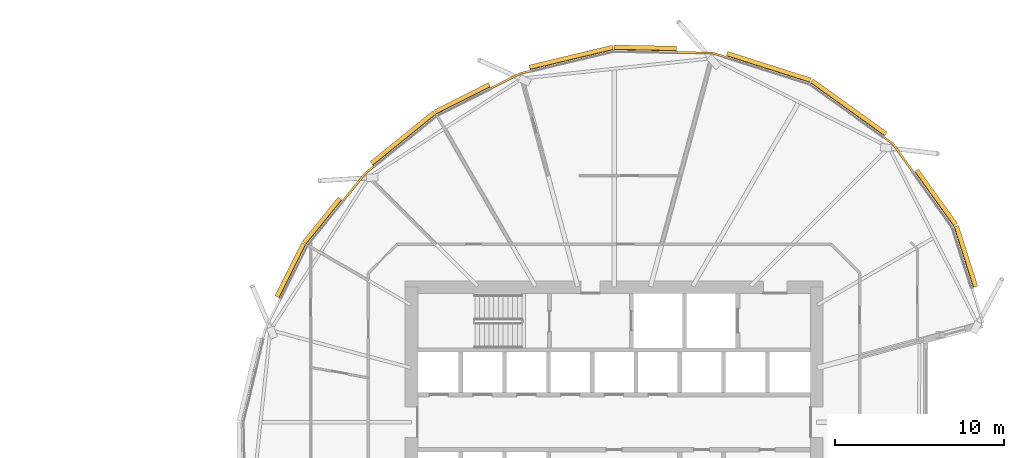
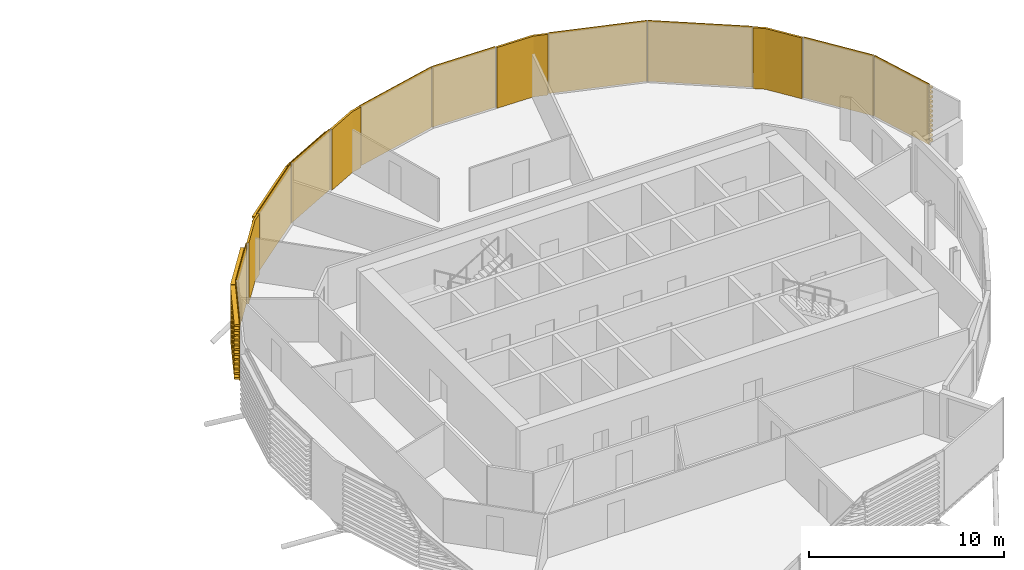
# One storey, part 39 of 39: 14 coverings.
"""IFC4 building model written with IfcOpenShell, lengths in metres."""

from ifc_helpers import new_model, si_unit, direction, frame, origin, place, context, subcontext, project, spatial, polyline, outline, extrude, material, layer, layer_set, material_profile, profile_set, type_object, element, save


model = new_model("IFC4")

# Units and contexts
model_context = context("Model", 3, precision=1e-05, world=origin(), true_north=direction((0.0, 1.0)))
body_context = subcontext(model_context, "Body", "Model", "MODEL_VIEW")
ifc_project = project(units=[si_unit("LENGTHUNIT", "METRE"), si_unit("AREAUNIT", "SQUARE_METRE"), si_unit("VOLUMEUNIT", "CUBIC_METRE"), si_unit("PLANEANGLEUNIT", "RADIAN"), si_unit("MASSUNIT", "GRAM", prefix="KILO")], contexts=[model_context])

# Site, building, storey
site_placement = place(None, origin())
site = spatial("IfcSite", under=ifc_project, at=site_placement, CompositionType="ELEMENT")
building_placement = place(site_placement, origin())
building = spatial("IfcBuilding", under=site, at=building_placement, Name="Rimbun Link Towers", CompositionType="ELEMENT")
storey_placement = place(building_placement, frame((0.0, 0.0, 112.0)))
storey = spatial("IfcBuildingStorey", under=building, at=storey_placement, Name="L27", CompositionType="ELEMENT", Elevation=112.0)

# Coverings
ifc_material_1 = material(Name="Terracotta", Category="masonry")
ifc_layer = layer(ifc_material_1, 0.1201171875)
ifc_layer_set = layer_set([ifc_layer], Name="LINK PIER terracotta cladding 120")
covering_type_1 = type_object("IfcCoveringType", Name="LINK PIER terracotta cladding 120", PredefinedType="CLADDING", material=ifc_layer_set)
covering_1_placement = place(storey_placement, origin())
element("IfcCovering", 1, at=covering_1_placement, inside=storey, type_object=covering_type_1, Name="LINK PIER cladding", PredefinedType="CLADDING", context=body_context, shape_type="SweptSolid", body=[
    extrude(outline(polyline([(47.70947265625, 16.82470703125), (48.21337890625, 16.46337890625), (49.420166015625, 14.781494140625), (49.517578125, 14.8515625), (48.29931640625, 16.54931640625), (47.779541015625, 16.92236328125), (47.70947265625, 16.82470703125)])), origin(), (0.0, 0.0, 1.0), 3.800048828125),
])
covering_2_placement = place(storey_placement, origin())
element("IfcCovering", 2, at=covering_2_placement, inside=storey, type_object=covering_type_1, Name="LINK PIER cladding", PredefinedType="CLADDING", context=body_context, shape_type="SweptSolid", body=[
    extrude(outline(polyline([(35.473388671875, 21.85107421875), (37.593017578125, 21.806396484375), (38.326904296875, 21.5732421875), (38.363037109375, 21.6875), (37.61279296875, 21.926025390625), (35.47607421875, 21.97119140625), (35.473388671875, 21.85107421875)])), origin(), (0.0, 0.0, 1.0), 3.800048828125),
])
covering_3_placement = place(storey_placement, origin())
element("IfcCovering", 3, at=covering_3_placement, inside=storey, type_object=covering_type_1, Name="LINK PIER cladding", PredefinedType="CLADDING", context=body_context, shape_type="SweptSolid", body=[
    extrude(outline(polyline([(24.511962890625, 19.747314453125), (26.227783203125, 20.60888671875), (26.7822265625, 20.741455078125), (26.754150390625, 20.8583984375), (26.186279296875, 20.722412109375), (24.458251953125, 19.8544921875), (24.511962890625, 19.747314453125)])), origin(), (0.0, 0.0, 1.0), 3.800048828125),
])
covering_4_placement = place(storey_placement, origin())
element("IfcCovering", 4, at=covering_4_placement, inside=storey, type_object=covering_type_1, Name="LINK PIER cladding", PredefinedType="CLADDING", context=body_context, shape_type="SweptSolid", body=[
    extrude(outline(polyline([(15.748291015625, 13.09033203125), (17.050537109375, 14.699462890625), (17.532470703125, 15.08935546875), (17.45703125, 15.182861328125), (16.96533203125, 14.78466796875), (15.655029296875, 13.166015625), (15.748291015625, 13.09033203125)])), origin(), (0.0, 0.0, 1.0), 3.800048828125),
])
ifc_material_2 = material(Name="Terracotta", Category="masonry")
ifc_material_profile = material_profile(ifc_material_2, outline(polyline([(0.123046875, 0.0), (0.1630859375, 0.0), (0.1630859375, 0.10009765625), (0.423095703125, 0.10009765625), (0.423095703125, 0.219970703125), (0.1630859375, 0.219970703125), (0.1630859375, 0.39990234375), (0.423095703125, 0.39990234375), (0.423095703125, 0.52001953125), (0.1630859375, 0.52001953125), (0.1630859375, 0.699951171875), (0.423095703125, 0.699951171875), (0.423095703125, 0.820068359375), (0.1630859375, 0.820068359375), (0.1630859375, 1.0), (0.423095703125, 1.0), (0.423095703125, 1.1201171875), (0.1630859375, 1.1201171875), (0.1630859375, 1.300048828125), (0.423095703125, 1.300048828125), (0.423095703125, 1.419921875), (0.1630859375, 1.419921875), (0.1630859375, 1.60009765625), (0.423095703125, 1.60009765625), (0.423095703125, 1.719970703125), (0.1630859375, 1.719970703125), (0.1630859375, 1.89990234375), (0.423095703125, 1.89990234375), (0.423095703125, 2.02001953125), (0.1630859375, 2.02001953125), (0.1630859375, 2.199951171875), (0.423095703125, 2.199951171875), (0.423095703125, 2.320068359375), (0.1630859375, 2.320068359375), (0.1630859375, 2.5), (0.423095703125, 2.5), (0.423095703125, 2.6201171875), (0.1630859375, 2.6201171875), (0.1630859375, 2.800048828125), (0.423095703125, 2.800048828125), (0.423095703125, 2.919921875), (0.1630859375, 2.919921875), (0.1630859375, 3.10009765625), (0.423095703125, 3.10009765625), (0.423095703125, 3.219970703125), (0.1630859375, 3.219970703125), (0.1630859375, 3.39990234375), (0.423095703125, 3.39990234375), (0.423095703125, 3.52001953125), (0.1630859375, 3.52001953125), (0.1630859375, 3.800048828125), (0.123046875, 3.800048828125), (0.123046875, 0.0)])), Name="BAGUETTE 120X300")
ifc_profile_set = profile_set([ifc_material_profile], Name="Terracotta")
covering_type_2 = type_object("IfcCoveringType", Name="TERRACOTTA BAGUETTE 120X300 H3800", PredefinedType="CLADDING", material=ifc_profile_set)
covering_5_placement = place(storey_placement, frame((43.29345703125, 19.99365234375, 0.0), z_axis=(0.812477325977, -0.582992791356, 0.0), x_axis=(0.582992791356, 0.812477325977, 0.0)))
element("IfcCovering", 5, at=covering_5_placement, inside=storey, type_object=covering_type_2, Name="TERRACOTTA BAGUETTE", PredefinedType="CLADDING", context=body_context, shape_type="SweptSolid", body=[
    extrude(outline(polyline([(0.123046875, 0.0), (0.1630859375, 0.0), (0.1630859375, 0.10009765625), (0.423095703125, 0.10009765625), (0.423095703125, 0.219970703125), (0.1630859375, 0.219970703125), (0.1630859375, 0.39990234375), (0.423095703125, 0.39990234375), (0.423095703125, 0.52001953125), (0.1630859375, 0.52001953125), (0.1630859375, 0.699951171875), (0.423095703125, 0.699951171875), (0.423095703125, 0.820068359375), (0.1630859375, 0.820068359375), (0.1630859375, 1.0), (0.423095703125, 1.0), (0.423095703125, 1.1201171875), (0.1630859375, 1.1201171875), (0.1630859375, 1.300048828125), (0.423095703125, 1.300048828125), (0.423095703125, 1.419921875), (0.1630859375, 1.419921875), (0.1630859375, 1.60009765625), (0.423095703125, 1.60009765625), (0.423095703125, 1.719970703125), (0.1630859375, 1.719970703125), (0.1630859375, 1.89990234375), (0.423095703125, 1.89990234375), (0.423095703125, 2.02001953125), (0.1630859375, 2.02001953125), (0.1630859375, 2.199951171875), (0.423095703125, 2.199951171875), (0.423095703125, 2.320068359375), (0.1630859375, 2.320068359375), (0.1630859375, 2.5), (0.423095703125, 2.5), (0.423095703125, 2.6201171875), (0.1630859375, 2.6201171875), (0.1630859375, 2.800048828125), (0.423095703125, 2.800048828125), (0.423095703125, 2.919921875), (0.1630859375, 2.919921875), (0.1630859375, 3.10009765625), (0.423095703125, 3.10009765625), (0.423095703125, 3.219970703125), (0.1630859375, 3.219970703125), (0.1630859375, 3.39990234375), (0.423095703125, 3.39990234375), (0.423095703125, 3.52001953125), (0.1630859375, 3.52001953125), (0.1630859375, 3.800048828125), (0.123046875, 3.800048828125), (0.123046875, 0.0)])), origin(), (0.0, 0.0, 1.0), 5.405517578125),
])
covering_6_placement = place(storey_placement, frame((38.35546875, 21.56396484375, 0.0), z_axis=(0.952974033405, -0.303051961973, 0.0), x_axis=(0.303051961973, 0.952974033405, 0.0)))
element("IfcCovering", 6, at=covering_6_placement, inside=storey, type_object=covering_type_2, Name="TERRACOTTA BAGUETTE", PredefinedType="CLADDING", context=body_context, shape_type="SweptSolid", body=[
    extrude(outline(polyline([(0.123046875, 0.0), (0.1630859375, 0.0), (0.1630859375, 0.10009765625), (0.423095703125, 0.10009765625), (0.423095703125, 0.219970703125), (0.1630859375, 0.219970703125), (0.1630859375, 0.39990234375), (0.423095703125, 0.39990234375), (0.423095703125, 0.52001953125), (0.1630859375, 0.52001953125), (0.1630859375, 0.699951171875), (0.423095703125, 0.699951171875), (0.423095703125, 0.820068359375), (0.1630859375, 0.820068359375), (0.1630859375, 1.0), (0.423095703125, 1.0), (0.423095703125, 1.1201171875), (0.1630859375, 1.1201171875), (0.1630859375, 1.300048828125), (0.423095703125, 1.300048828125), (0.423095703125, 1.419921875), (0.1630859375, 1.419921875), (0.1630859375, 1.60009765625), (0.423095703125, 1.60009765625), (0.423095703125, 1.719970703125), (0.1630859375, 1.719970703125), (0.1630859375, 1.89990234375), (0.423095703125, 1.89990234375), (0.423095703125, 2.02001953125), (0.1630859375, 2.02001953125), (0.1630859375, 2.199951171875), (0.423095703125, 2.199951171875), (0.423095703125, 2.320068359375), (0.1630859375, 2.320068359375), (0.1630859375, 2.5), (0.423095703125, 2.5), (0.423095703125, 2.6201171875), (0.1630859375, 2.6201171875), (0.1630859375, 2.800048828125), (0.423095703125, 2.800048828125), (0.423095703125, 2.919921875), (0.1630859375, 2.919921875), (0.1630859375, 3.10009765625), (0.423095703125, 3.10009765625), (0.423095703125, 3.219970703125), (0.1630859375, 3.219970703125), (0.1630859375, 3.39990234375), (0.423095703125, 3.39990234375), (0.423095703125, 3.52001953125), (0.1630859375, 3.52001953125), (0.1630859375, 3.800048828125), (0.123046875, 3.800048828125), (0.123046875, 0.0)])), origin(), (0.0, 0.0, 1.0), 5.181640625),
])
covering_7_placement = place(storey_placement, frame((31.75, 21.9296875, 0.0), z_axis=(0.999777749096, -0.021082040056, 0.0), x_axis=(0.021082040056, 0.999777749096, 0.0)))
element("IfcCovering", 7, at=covering_7_placement, inside=storey, type_object=covering_type_2, Name="TERRACOTTA BAGUETTE", PredefinedType="CLADDING", context=body_context, shape_type="SweptSolid", body=[
    extrude(outline(polyline([(0.123046875, 0.0), (0.1630859375, 0.0), (0.1630859375, 0.10009765625), (0.423095703125, 0.10009765625), (0.423095703125, 0.219970703125), (0.1630859375, 0.219970703125), (0.1630859375, 0.39990234375), (0.423095703125, 0.39990234375), (0.423095703125, 0.52001953125), (0.1630859375, 0.52001953125), (0.1630859375, 0.699951171875), (0.423095703125, 0.699951171875), (0.423095703125, 0.820068359375), (0.1630859375, 0.820068359375), (0.1630859375, 1.0), (0.423095703125, 1.0), (0.423095703125, 1.1201171875), (0.1630859375, 1.1201171875), (0.1630859375, 1.300048828125), (0.423095703125, 1.300048828125), (0.423095703125, 1.419921875), (0.1630859375, 1.419921875), (0.1630859375, 1.60009765625), (0.423095703125, 1.60009765625), (0.423095703125, 1.719970703125), (0.1630859375, 1.719970703125), (0.1630859375, 1.89990234375), (0.423095703125, 1.89990234375), (0.423095703125, 2.02001953125), (0.1630859375, 2.02001953125), (0.1630859375, 2.199951171875), (0.423095703125, 2.199951171875), (0.423095703125, 2.320068359375), (0.1630859375, 2.320068359375), (0.1630859375, 2.5), (0.423095703125, 2.5), (0.423095703125, 2.6201171875), (0.1630859375, 2.6201171875), (0.1630859375, 2.800048828125), (0.423095703125, 2.800048828125), (0.423095703125, 2.919921875), (0.1630859375, 2.919921875), (0.1630859375, 3.10009765625), (0.423095703125, 3.10009765625), (0.423095703125, 3.219970703125), (0.1630859375, 3.219970703125), (0.1630859375, 3.39990234375), (0.423095703125, 3.39990234375), (0.423095703125, 3.52001953125), (0.1630859375, 3.52001953125), (0.1630859375, 3.800048828125), (0.123046875, 3.800048828125), (0.123046875, 0.0)])), origin(), (0.0, 0.0, 1.0), 3.694091796875),
])
covering_8_placement = place(storey_placement, frame((26.811279296875, 20.74853515625, 0.0), z_axis=(0.972572035212, 0.232601883749, 0.0), x_axis=(-0.232601883749, 0.972572035212, 0.0)))
element("IfcCovering", 8, at=covering_8_placement, inside=storey, type_object=covering_type_2, Name="TERRACOTTA BAGUETTE", PredefinedType="CLADDING", context=body_context, shape_type="SweptSolid", body=[
    extrude(outline(polyline([(0.123046875, 0.0), (0.1630859375, 0.0), (0.1630859375, 0.10009765625), (0.423095703125, 0.10009765625), (0.423095703125, 0.219970703125), (0.1630859375, 0.219970703125), (0.1630859375, 0.39990234375), (0.423095703125, 0.39990234375), (0.423095703125, 0.52001953125), (0.1630859375, 0.52001953125), (0.1630859375, 0.699951171875), (0.423095703125, 0.699951171875), (0.423095703125, 0.820068359375), (0.1630859375, 0.820068359375), (0.1630859375, 1.0), (0.423095703125, 1.0), (0.423095703125, 1.1201171875), (0.1630859375, 1.1201171875), (0.1630859375, 1.300048828125), (0.423095703125, 1.300048828125), (0.423095703125, 1.419921875), (0.1630859375, 1.419921875), (0.1630859375, 1.60009765625), (0.423095703125, 1.60009765625), (0.423095703125, 1.719970703125), (0.1630859375, 1.719970703125), (0.1630859375, 1.89990234375), (0.423095703125, 1.89990234375), (0.423095703125, 2.02001953125), (0.1630859375, 2.02001953125), (0.1630859375, 2.199951171875), (0.423095703125, 2.199951171875), (0.423095703125, 2.320068359375), (0.1630859375, 2.320068359375), (0.1630859375, 2.5), (0.423095703125, 2.5), (0.423095703125, 2.6201171875), (0.1630859375, 2.6201171875), (0.1630859375, 2.800048828125), (0.423095703125, 2.800048828125), (0.423095703125, 2.919921875), (0.1630859375, 2.919921875), (0.1630859375, 3.10009765625), (0.423095703125, 3.10009765625), (0.423095703125, 3.219970703125), (0.1630859375, 3.219970703125), (0.1630859375, 3.39990234375), (0.423095703125, 3.39990234375), (0.423095703125, 3.52001953125), (0.1630859375, 3.52001953125), (0.1630859375, 3.800048828125), (0.123046875, 3.800048828125), (0.123046875, 0.0)])), origin(), (0.0, 0.0, 1.0), 5.077880859375),
])
covering_9_placement = place(storey_placement, frame((21.28466796875, 18.12646484375, 0.0), z_axis=(0.89362135543, 0.448821649565, 0.0), x_axis=(-0.448821649565, 0.89362135543, 0.0)))
element("IfcCovering", 9, at=covering_9_placement, inside=storey, type_object=covering_type_2, Name="TERRACOTTA BAGUETTE", PredefinedType="CLADDING", context=body_context, shape_type="SweptSolid", body=[
    extrude(outline(polyline([(0.123046875, 0.0), (0.1630859375, 0.0), (0.1630859375, 0.10009765625), (0.423095703125, 0.10009765625), (0.423095703125, 0.219970703125), (0.1630859375, 0.219970703125), (0.1630859375, 0.39990234375), (0.423095703125, 0.39990234375), (0.423095703125, 0.52001953125), (0.1630859375, 0.52001953125), (0.1630859375, 0.699951171875), (0.423095703125, 0.699951171875), (0.423095703125, 0.820068359375), (0.1630859375, 0.820068359375), (0.1630859375, 1.0), (0.423095703125, 1.0), (0.423095703125, 1.1201171875), (0.1630859375, 1.1201171875), (0.1630859375, 1.300048828125), (0.423095703125, 1.300048828125), (0.423095703125, 1.419921875), (0.1630859375, 1.419921875), (0.1630859375, 1.60009765625), (0.423095703125, 1.60009765625), (0.423095703125, 1.719970703125), (0.1630859375, 1.719970703125), (0.1630859375, 1.89990234375), (0.423095703125, 1.89990234375), (0.423095703125, 2.02001953125), (0.1630859375, 2.02001953125), (0.1630859375, 2.199951171875), (0.423095703125, 2.199951171875), (0.423095703125, 2.320068359375), (0.1630859375, 2.320068359375), (0.1630859375, 2.5), (0.423095703125, 2.5), (0.423095703125, 2.6201171875), (0.1630859375, 2.6201171875), (0.1630859375, 2.800048828125), (0.423095703125, 2.800048828125), (0.423095703125, 2.919921875), (0.1630859375, 2.919921875), (0.1630859375, 3.10009765625), (0.423095703125, 3.10009765625), (0.423095703125, 3.219970703125), (0.1630859375, 3.219970703125), (0.1630859375, 3.39990234375), (0.423095703125, 3.39990234375), (0.423095703125, 3.52001953125), (0.1630859375, 3.52001953125), (0.1630859375, 3.800048828125), (0.123046875, 3.800048828125), (0.123046875, 0.0)])), origin(), (0.0, 0.0, 1.0), 3.58154296875),
])
covering_10_placement = place(storey_placement, frame((17.555908203125, 15.1083984375, 0.0), z_axis=(0.777291090746, 0.629141129038, 0.0), x_axis=(-0.629141129038, 0.777291090746, 0.0)))
element("IfcCovering", 10, at=covering_10_placement, inside=storey, type_object=covering_type_2, Name="TERRACOTTA BAGUETTE", PredefinedType="CLADDING", context=body_context, shape_type="SweptSolid", body=[
    extrude(outline(polyline([(0.123046875, 0.0), (0.1630859375, 0.0), (0.1630859375, 0.10009765625), (0.423095703125, 0.10009765625), (0.423095703125, 0.219970703125), (0.1630859375, 0.219970703125), (0.1630859375, 0.39990234375), (0.423095703125, 0.39990234375), (0.423095703125, 0.52001953125), (0.1630859375, 0.52001953125), (0.1630859375, 0.699951171875), (0.423095703125, 0.699951171875), (0.423095703125, 0.820068359375), (0.1630859375, 0.820068359375), (0.1630859375, 1.0), (0.423095703125, 1.0), (0.423095703125, 1.1201171875), (0.1630859375, 1.1201171875), (0.1630859375, 1.300048828125), (0.423095703125, 1.300048828125), (0.423095703125, 1.419921875), (0.1630859375, 1.419921875), (0.1630859375, 1.60009765625), (0.423095703125, 1.60009765625), (0.423095703125, 1.719970703125), (0.1630859375, 1.719970703125), (0.1630859375, 1.89990234375), (0.423095703125, 1.89990234375), (0.423095703125, 2.02001953125), (0.1630859375, 2.02001953125), (0.1630859375, 2.199951171875), (0.423095703125, 2.199951171875), (0.423095703125, 2.320068359375), (0.1630859375, 2.320068359375), (0.1630859375, 2.5), (0.423095703125, 2.5), (0.423095703125, 2.6201171875), (0.1630859375, 2.6201171875), (0.1630859375, 2.800048828125), (0.423095703125, 2.800048828125), (0.423095703125, 2.919921875), (0.1630859375, 2.919921875), (0.1630859375, 3.10009765625), (0.423095703125, 3.10009765625), (0.423095703125, 3.219970703125), (0.1630859375, 3.219970703125), (0.1630859375, 3.39990234375), (0.423095703125, 3.39990234375), (0.423095703125, 3.52001953125), (0.1630859375, 3.52001953125), (0.1630859375, 3.800048828125), (0.123046875, 3.800048828125), (0.123046875, 0.0)])), origin(), (0.0, 0.0, 1.0), 4.797119140625),
])
covering_11_placement = place(storey_placement, frame((13.62353515625, 10.46533203125, 0.0), z_axis=(0.629149969491, 0.77728393518, 0.0), x_axis=(-0.77728393518, 0.629149969491, 0.0)))
element("IfcCovering", 11, at=covering_11_placement, inside=storey, type_object=covering_type_2, Name="TERRACOTTA BAGUETTE", PredefinedType="CLADDING", context=body_context, shape_type="SweptSolid", body=[
    extrude(outline(polyline([(0.123046875, 0.0), (0.1630859375, 0.0), (0.1630859375, 0.10009765625), (0.423095703125, 0.10009765625), (0.423095703125, 0.219970703125), (0.1630859375, 0.219970703125), (0.1630859375, 0.39990234375), (0.423095703125, 0.39990234375), (0.423095703125, 0.52001953125), (0.1630859375, 0.52001953125), (0.1630859375, 0.699951171875), (0.423095703125, 0.699951171875), (0.423095703125, 0.820068359375), (0.1630859375, 0.820068359375), (0.1630859375, 1.0), (0.423095703125, 1.0), (0.423095703125, 1.1201171875), (0.1630859375, 1.1201171875), (0.1630859375, 1.300048828125), (0.423095703125, 1.300048828125), (0.423095703125, 1.419921875), (0.1630859375, 1.419921875), (0.1630859375, 1.60009765625), (0.423095703125, 1.60009765625), (0.423095703125, 1.719970703125), (0.1630859375, 1.719970703125), (0.1630859375, 1.89990234375), (0.423095703125, 1.89990234375), (0.423095703125, 2.02001953125), (0.1630859375, 2.02001953125), (0.1630859375, 2.199951171875), (0.423095703125, 2.199951171875), (0.423095703125, 2.320068359375), (0.1630859375, 2.320068359375), (0.1630859375, 2.5), (0.423095703125, 2.5), (0.423095703125, 2.6201171875), (0.1630859375, 2.6201171875), (0.1630859375, 2.800048828125), (0.423095703125, 2.800048828125), (0.423095703125, 2.919921875), (0.1630859375, 2.919921875), (0.1630859375, 3.10009765625), (0.423095703125, 3.10009765625), (0.423095703125, 3.219970703125), (0.1630859375, 3.219970703125), (0.1630859375, 3.39990234375), (0.423095703125, 3.39990234375), (0.423095703125, 3.52001953125), (0.1630859375, 3.52001953125), (0.1630859375, 3.800048828125), (0.123046875, 3.800048828125), (0.123046875, 0.0)])), origin(), (0.0, 0.0, 1.0), 3.347412109375),
])
covering_12_placement = place(storey_placement, frame((12.03857421875, 7.3095703125, 0.0), z_axis=(0.448816781163, 0.893623800571, 0.0), x_axis=(-0.893623800571, 0.448816781163, 0.0)))
element("IfcCovering", 12, at=covering_12_placement, inside=storey, type_object=covering_type_2, Name="TERRACOTTA BAGUETTE", PredefinedType="CLADDING", context=body_context, shape_type="SweptSolid", body=[
    extrude(outline(polyline([(0.123046875, 0.0), (0.1630859375, 0.0), (0.1630859375, 0.10009765625), (0.423095703125, 0.10009765625), (0.423095703125, 0.219970703125), (0.1630859375, 0.219970703125), (0.1630859375, 0.39990234375), (0.423095703125, 0.39990234375), (0.423095703125, 0.52001953125), (0.1630859375, 0.52001953125), (0.1630859375, 0.699951171875), (0.423095703125, 0.699951171875), (0.423095703125, 0.820068359375), (0.1630859375, 0.820068359375), (0.1630859375, 1.0), (0.423095703125, 1.0), (0.423095703125, 1.1201171875), (0.1630859375, 1.1201171875), (0.1630859375, 1.300048828125), (0.423095703125, 1.300048828125), (0.423095703125, 1.419921875), (0.1630859375, 1.419921875), (0.1630859375, 1.60009765625), (0.423095703125, 1.60009765625), (0.423095703125, 1.719970703125), (0.1630859375, 1.719970703125), (0.1630859375, 1.89990234375), (0.423095703125, 1.89990234375), (0.423095703125, 2.02001953125), (0.1630859375, 2.02001953125), (0.1630859375, 2.199951171875), (0.423095703125, 2.199951171875), (0.423095703125, 2.320068359375), (0.1630859375, 2.320068359375), (0.1630859375, 2.5), (0.423095703125, 2.5), (0.423095703125, 2.6201171875), (0.1630859375, 2.6201171875), (0.1630859375, 2.800048828125), (0.423095703125, 2.800048828125), (0.423095703125, 2.919921875), (0.1630859375, 2.919921875), (0.1630859375, 3.10009765625), (0.423095703125, 3.10009765625), (0.423095703125, 3.219970703125), (0.1630859375, 3.219970703125), (0.1630859375, 3.39990234375), (0.423095703125, 3.39990234375), (0.423095703125, 3.52001953125), (0.1630859375, 3.52001953125), (0.1630859375, 3.800048828125), (0.123046875, 3.800048828125), (0.123046875, 0.0)])), origin(), (0.0, 0.0, 1.0), 3.531494140625),
])
covering_13_placement = place(storey_placement, frame((51.74365234375, 11.54345703125, 0.0), z_axis=(0.303086414115, -0.952963076713, 0.0), x_axis=(0.952963076713, 0.303086414115, 0.0)))
element("IfcCovering", 13, at=covering_13_placement, inside=storey, type_object=covering_type_2, Name="TERRACOTTA BAGUETTE", PredefinedType="CLADDING", context=body_context, shape_type="SweptSolid", body=[
    extrude(outline(polyline([(0.123046875, 0.0), (0.1630859375, 0.0), (0.1630859375, 0.10009765625), (0.423095703125, 0.10009765625), (0.423095703125, 0.219970703125), (0.1630859375, 0.219970703125), (0.1630859375, 0.39990234375), (0.423095703125, 0.39990234375), (0.423095703125, 0.52001953125), (0.1630859375, 0.52001953125), (0.1630859375, 0.699951171875), (0.423095703125, 0.699951171875), (0.423095703125, 0.820068359375), (0.1630859375, 0.820068359375), (0.1630859375, 1.0), (0.423095703125, 1.0), (0.423095703125, 1.1201171875), (0.1630859375, 1.1201171875), (0.1630859375, 1.300048828125), (0.423095703125, 1.300048828125), (0.423095703125, 1.419921875), (0.1630859375, 1.419921875), (0.1630859375, 1.60009765625), (0.423095703125, 1.60009765625), (0.423095703125, 1.719970703125), (0.1630859375, 1.719970703125), (0.1630859375, 1.89990234375), (0.423095703125, 1.89990234375), (0.423095703125, 2.02001953125), (0.1630859375, 2.02001953125), (0.1630859375, 2.199951171875), (0.423095703125, 2.199951171875), (0.423095703125, 2.320068359375), (0.1630859375, 2.320068359375), (0.1630859375, 2.5), (0.423095703125, 2.5), (0.423095703125, 2.6201171875), (0.1630859375, 2.6201171875), (0.1630859375, 2.800048828125), (0.423095703125, 2.800048828125), (0.423095703125, 2.919921875), (0.1630859375, 2.919921875), (0.1630859375, 3.10009765625), (0.423095703125, 3.10009765625), (0.423095703125, 3.219970703125), (0.1630859375, 3.219970703125), (0.1630859375, 3.39990234375), (0.423095703125, 3.39990234375), (0.423095703125, 3.52001953125), (0.1630859375, 3.52001953125), (0.1630859375, 3.800048828125), (0.123046875, 3.800048828125), (0.123046875, 0.0)])), origin(), (0.0, 0.0, 1.0), 3.781982421875),
])
covering_14_placement = place(storey_placement, frame((49.4375, 14.757080078125, 0.0), z_axis=(0.583029233752, -0.812451175512, 0.0), x_axis=(0.812451175512, 0.583029233752, 0.0)))
element("IfcCovering", 14, at=covering_14_placement, inside=storey, type_object=covering_type_2, Name="TERRACOTTA BAGUETTE", PredefinedType="CLADDING", context=body_context, shape_type="SweptSolid", body=[
    extrude(outline(polyline([(0.123046875, 0.0), (0.1630859375, 0.0), (0.1630859375, 0.10009765625), (0.423095703125, 0.10009765625), (0.423095703125, 0.219970703125), (0.1630859375, 0.219970703125), (0.1630859375, 0.39990234375), (0.423095703125, 0.39990234375), (0.423095703125, 0.52001953125), (0.1630859375, 0.52001953125), (0.1630859375, 0.699951171875), (0.423095703125, 0.699951171875), (0.423095703125, 0.820068359375), (0.1630859375, 0.820068359375), (0.1630859375, 1.0), (0.423095703125, 1.0), (0.423095703125, 1.1201171875), (0.1630859375, 1.1201171875), (0.1630859375, 1.300048828125), (0.423095703125, 1.300048828125), (0.423095703125, 1.419921875), (0.1630859375, 1.419921875), (0.1630859375, 1.60009765625), (0.423095703125, 1.60009765625), (0.423095703125, 1.719970703125), (0.1630859375, 1.719970703125), (0.1630859375, 1.89990234375), (0.423095703125, 1.89990234375), (0.423095703125, 2.02001953125), (0.1630859375, 2.02001953125), (0.1630859375, 2.199951171875), (0.423095703125, 2.199951171875), (0.423095703125, 2.320068359375), (0.1630859375, 2.320068359375), (0.1630859375, 2.5), (0.423095703125, 2.5), (0.423095703125, 2.6201171875), (0.1630859375, 2.6201171875), (0.1630859375, 2.800048828125), (0.423095703125, 2.800048828125), (0.423095703125, 2.919921875), (0.1630859375, 2.919921875), (0.1630859375, 3.10009765625), (0.423095703125, 3.10009765625), (0.423095703125, 3.219970703125), (0.1630859375, 3.219970703125), (0.1630859375, 3.39990234375), (0.423095703125, 3.39990234375), (0.423095703125, 3.52001953125), (0.1630859375, 3.52001953125), (0.1630859375, 3.800048828125), (0.123046875, 3.800048828125), (0.123046875, 0.0)])), origin(), (0.0, 0.0, 1.0), 3.95556640625),
])

save(model, "model.ifc")
